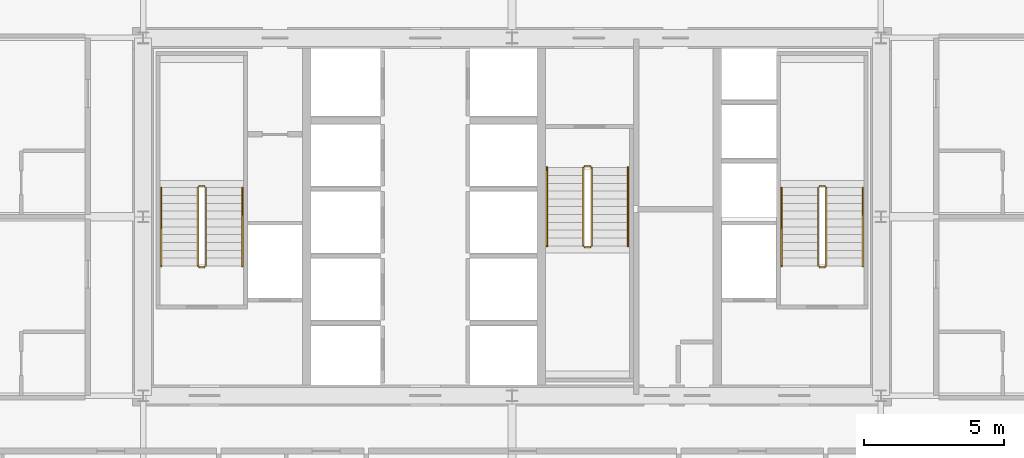
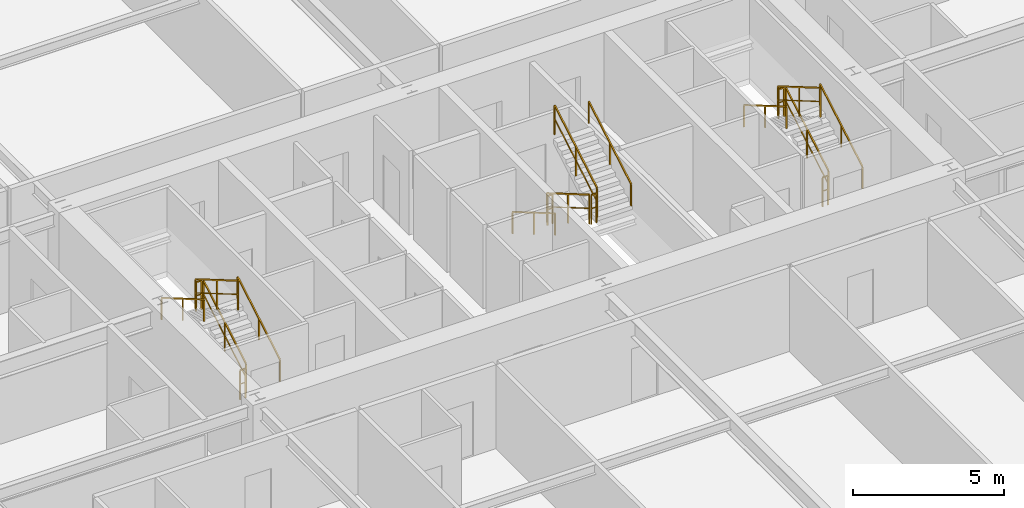
# One storey, part 39 of 39: 18 railings.
"""IFC4 building model written with IfcOpenShell, lengths in metres."""

from ifc_helpers import new_model, si_unit, direction, frame, origin, origin_2d, place, context, subcontext, project, spatial, rectangle, extrude, source, transform, mapped, material, layer, layer_set, type_object, element, save


model = new_model("IFC4")

# Units and contexts
model_context = context("Model", 3, precision=1e-05, world=origin(), true_north=direction((0.0, 1.0)))
body_context = subcontext(model_context, "Body", "Model", "MODEL_VIEW")
ifc_project = project(units=[si_unit("LENGTHUNIT", "METRE"), si_unit("AREAUNIT", "SQUARE_METRE"), si_unit("VOLUMEUNIT", "CUBIC_METRE"), si_unit("PLANEANGLEUNIT", "RADIAN"), si_unit("MASSUNIT", "GRAM", prefix="KILO"), si_unit("THERMODYNAMICTEMPERATUREUNIT", "KELVIN"), si_unit("POWERUNIT", "WATT")], contexts=[model_context])

# Site, building, storey
site_placement = place(None, origin())
site = spatial("IfcSite", under=ifc_project, at=site_placement, CompositionType="ELEMENT")
building_placement = place(site_placement, origin())
building = spatial("IfcBuilding", under=site, at=building_placement, Name="Yuzanri Waterfront Tower", CompositionType="ELEMENT")
storey_placement = place(building_placement, frame((0.0, 0.0, 141.60009765625)))
storey = spatial("IfcBuildingStorey", under=building, at=storey_placement, Name="L37", CompositionType="ELEMENT", Elevation=141.60009765625)

# Railings
ifc_material_1 = material(Name="Painted Galvanized Fire Steel", Category="steel")
ifc_layer_1 = layer(ifc_material_1, 0.06005859375)
ifc_layer_set_1 = layer_set([ifc_layer_1], Name="Painted Galvanized Fire Steel")
railing_type_1 = type_object("IfcRailingType", Name="Painted Steel Stairwell Guardrail 1120", PredefinedType="GUARDRAIL", material=ifc_layer_set_1)
shared_shape_1 = source(origin(), body_context, "Body", "SweptSolid", [
    extrude(rectangle(XDim=0.050048828125, YDim=0.050048828125, at=origin_2d()), frame((0.0, 0.0, 1.1748046875), z_axis=(-1.0, 0.0, 0.0), x_axis=(0.0, -1.0, 0.0)), (0.0, 0.0, 1.0), 0.199951171875),
    extrude(rectangle(XDim=0.035888671875, YDim=0.030029296875, at=origin_2d()), frame((0.0, 0.0, 0.6240234375), z_axis=(-1.0, 0.0, 0.0), x_axis=(0.0, -1.0, 0.0)), (0.0, 0.0, 1.0), 0.199951171875),
    extrude(rectangle(XDim=0.0458984375, YDim=0.0458984375, at=origin_2d()), origin(), (0.0, 0.0, 1.0), 1.14990234375),
    extrude(rectangle(XDim=0.0458984375, YDim=0.0458984375, at=origin_2d()), frame((-0.199951171875, 0.0, 0.0)), (0.0, 0.0, 1.0), 1.14990234375),
])
for number, where, name in (
    (1, (26.0, 26.889892578125, 1.7998046875), "L37 ST-01 stair guard 2"),
    (2, (26.0, 23.989990234375, 0.0), "L37 ST-01 stair guard 4"),
    (3, (48.199951171875, 26.889892578125, 1.7998046875), "L37 ST-02 stair guard 2"),
    (4, (48.199951171875, 23.989990234375, 0.0), "L37 ST-02 stair guard 4"),
):
    element("IfcRailing", number, at=place(storey_placement, frame(where)), inside=storey, type_object=railing_type_1, Name=name, PredefinedType="GUARDRAIL", context=body_context, shape_type="MappedRepresentation", body=[
        mapped(shared_shape_1, transform((0.0, 0.0, 0.0), scale=1.0)),
    ])
shared_shape_2 = source(origin(), body_context, "Body", "SweptSolid", [
    extrude(rectangle(XDim=0.050048828125, YDim=0.050048828125, at=origin_2d()), frame((0.0, 0.0, 1.1748046875), z_axis=(0.0, 0.863393664356, 0.504530851732), x_axis=(-1.0, 0.0, 0.0)), (0.0, 0.0, 1.0), 3.2431640625),
    extrude(rectangle(XDim=0.035888671875, YDim=0.030029296875, at=origin_2d()), frame((0.0, 0.0, 0.6240234375), z_axis=(0.0, 0.863393664356, 0.504530851732), x_axis=(-1.0, 0.0, 0.0)), (0.0, 0.0, 1.0), 3.2431640625),
    extrude(rectangle(XDim=0.0458984375, YDim=0.0458984375, at=origin_2d()), origin(), (0.0, 0.0, 1.0), 1.14990234375),
    extrude(rectangle(XDim=0.0458984375, YDim=0.0458984375, at=origin_2d()), frame((0.0, 1.39990234375, 0.818115234375)), (0.0, 0.0, 1.0), 1.14990234375),
    extrude(rectangle(XDim=0.0458984375, YDim=0.0458984375, at=origin_2d()), frame((0.0, 2.800048828125, 1.63623046875)), (0.0, 0.0, 1.0), 1.14990234375),
])
for number, where, name in (
    (5, (26.050048828125, 24.0400390625, 0.16357421875), "L37 ST-01 stair guard 1"),
    (6, (48.25, 24.0400390625, 0.16357421875), "L37 ST-02 stair guard 1"),
    (7, (39.85009765625, 24.760009765625, 1.963623046875), "L37 ST-03 stair guard 3"),
):
    element("IfcRailing", number, at=place(storey_placement, frame(where)), inside=storey, type_object=railing_type_1, Name=name, PredefinedType="GUARDRAIL", context=body_context, shape_type="MappedRepresentation", body=[
        mapped(shared_shape_2, transform((0.0, 0.0, 0.0), scale=1.0)),
    ])
shared_shape_3 = source(origin(), body_context, "Body", "SweptSolid", [
    extrude(rectangle(XDim=0.050048828125, YDim=0.050048828125, at=origin_2d()), frame((0.0, 0.0, 1.1748046875), z_axis=(0.0, -0.863393664356, 0.504530851732), x_axis=(1.0, 0.0, 0.0)), (0.0, 0.0, 1.0), 3.2431640625),
    extrude(rectangle(XDim=0.035888671875, YDim=0.030029296875, at=origin_2d()), frame((0.0, 0.0, 0.6240234375), z_axis=(0.0, -0.863393664356, 0.504530851732), x_axis=(1.0, 0.0, 0.0)), (0.0, 0.0, 1.0), 3.2431640625),
    extrude(rectangle(XDim=0.0458984375, YDim=0.0458984375, at=origin_2d()), origin(), (0.0, 0.0, 1.0), 1.14990234375),
    extrude(rectangle(XDim=0.0458984375, YDim=0.0458984375, at=origin_2d()), frame((0.0, -1.39990234375, 0.818115234375)), (0.0, 0.0, 1.0), 1.14990234375),
    extrude(rectangle(XDim=0.0458984375, YDim=0.0458984375, at=origin_2d()), frame((0.0, -2.800048828125, 1.63623046875)), (0.0, 0.0, 1.0), 1.14990234375),
])
for number, where, name in (
    (8, (25.75, 26.840087890625, 1.963623046875), "L37 ST-01 stair guard 3"),
    (9, (47.949951171875, 26.840087890625, 1.963623046875), "L37 ST-02 stair guard 3"),
    (10, (39.550048828125, 27.56005859375, 0.16357421875), "L37 ST-03 stair guard 1"),
):
    element("IfcRailing", number, at=place(storey_placement, frame(where)), inside=storey, type_object=railing_type_1, Name=name, PredefinedType="GUARDRAIL", context=body_context, shape_type="MappedRepresentation", body=[
        mapped(shared_shape_3, transform((0.0, 0.0, 0.0), scale=1.0)),
    ])
ifc_material_2 = material(Name="Anodized Architectural Bronze", Category="metal")
ifc_layer_2 = layer(ifc_material_2, 0.050048828125)
ifc_layer_set_2 = layer_set([ifc_layer_2], Name="Anodized Architectural Bronze")
railing_type_2 = type_object("IfcRailingType", Name="Brushed Bronze Stair Pitch Handrail 920", PredefinedType="HANDRAIL", material=ifc_layer_set_2)
shared_shape_4 = source(origin(), body_context, "Body", "SweptSolid", [
    extrude(rectangle(XDim=0.050048828125, YDim=0.050048828125, at=origin_2d()), frame((0.0, 0.0, 0.875), z_axis=(0.0, 0.863393664356, 0.504530851732), x_axis=(-1.0, 0.0, 0.0)), (0.0, 0.0, 1.0), 3.2431640625),
    extrude(rectangle(XDim=0.0458984375, YDim=0.0458984375, at=origin_2d()), origin(), (0.0, 0.0, 1.0), 0.849853515625),
    extrude(rectangle(XDim=0.0458984375, YDim=0.0458984375, at=origin_2d()), frame((0.0, 1.39990234375, 0.818115234375)), (0.0, 0.0, 1.0), 0.849853515625),
    extrude(rectangle(XDim=0.0458984375, YDim=0.0458984375, at=origin_2d()), frame((0.0, 2.800048828125, 1.63623046875)), (0.0, 0.0, 1.0), 0.849853515625),
])
for number, where, name in (
    (11, (27.35009765625, 24.0400390625, 0.16357421875), "L37 ST-01 stair handrail 1"),
    (12, (49.550048828125, 24.0400390625, 0.16357421875), "L37 ST-02 stair handrail 1"),
    (13, (41.14990234375, 24.760009765625, 1.963623046875), "L37 ST-03 stair handrail 2"),
):
    element("IfcRailing", number, at=place(storey_placement, frame(where)), inside=storey, type_object=railing_type_2, Name=name, PredefinedType="HANDRAIL", context=body_context, shape_type="MappedRepresentation", body=[
        mapped(shared_shape_4, transform((0.0, 0.0, 0.0), scale=1.0)),
    ])
shared_shape_5 = source(origin(), body_context, "Body", "SweptSolid", [
    extrude(rectangle(XDim=0.050048828125, YDim=0.050048828125, at=origin_2d()), frame((0.0, 0.0, 0.875), z_axis=(0.0, -0.863393664356, 0.504530851732), x_axis=(1.0, 0.0, 0.0)), (0.0, 0.0, 1.0), 3.2431640625),
    extrude(rectangle(XDim=0.0458984375, YDim=0.0458984375, at=origin_2d()), origin(), (0.0, 0.0, 1.0), 0.849853515625),
    extrude(rectangle(XDim=0.0458984375, YDim=0.0458984375, at=origin_2d()), frame((0.0, -1.39990234375, 0.818115234375)), (0.0, 0.0, 1.0), 0.849853515625),
    extrude(rectangle(XDim=0.0458984375, YDim=0.0458984375, at=origin_2d()), frame((0.0, -2.800048828125, 1.63623046875)), (0.0, 0.0, 1.0), 0.849853515625),
])
for number, where, name in (
    (14, (24.449951171875, 26.840087890625, 1.963623046875), "L37 ST-01 stair handrail 2"),
    (15, (46.64990234375, 26.840087890625, 1.963623046875), "L37 ST-02 stair handrail 2"),
    (16, (38.25, 27.56005859375, 0.16357421875), "L37 ST-03 stair handrail 1"),
):
    element("IfcRailing", number, at=place(storey_placement, frame(where)), inside=storey, type_object=railing_type_2, Name=name, PredefinedType="HANDRAIL", context=body_context, shape_type="MappedRepresentation", body=[
        mapped(shared_shape_5, transform((0.0, 0.0, 0.0), scale=1.0)),
    ])
shared_shape_6 = source(origin(), body_context, "Body", "SweptSolid", [
    extrude(rectangle(XDim=0.050048828125, YDim=0.050048828125, at=origin_2d()), frame((0.0, 0.0, 1.1748046875), z_axis=(1.0, 0.0, 0.0), x_axis=(0.0, 1.0, 0.0)), (0.0, 0.0, 1.0), 0.199951171875),
    extrude(rectangle(XDim=0.035888671875, YDim=0.030029296875, at=origin_2d()), frame((0.0, 0.0, 0.6240234375), z_axis=(1.0, 0.0, 0.0), x_axis=(0.0, 1.0, 0.0)), (0.0, 0.0, 1.0), 0.199951171875),
    extrude(rectangle(XDim=0.0458984375, YDim=0.0458984375, at=origin_2d()), origin(), (0.0, 0.0, 1.0), 1.14990234375),
    extrude(rectangle(XDim=0.0458984375, YDim=0.0458984375, at=origin_2d()), frame((0.199951171875, 0.0, 0.0)), (0.0, 0.0, 1.0), 1.14990234375),
])
for number, where, name in (
    (17, (39.60009765625, 24.7099609375, 1.7998046875), "L37 ST-03 stair guard 2"),
    (18, (39.60009765625, 27.610107421875, 0.0), "L37 ST-03 stair guard 4"),
):
    element("IfcRailing", number, at=place(storey_placement, frame(where)), inside=storey, type_object=railing_type_1, Name=name, PredefinedType="GUARDRAIL", context=body_context, shape_type="MappedRepresentation", body=[
        mapped(shared_shape_6, transform((0.0, 0.0, 0.0), scale=1.0)),
    ])

save(model, "model.ifc")
